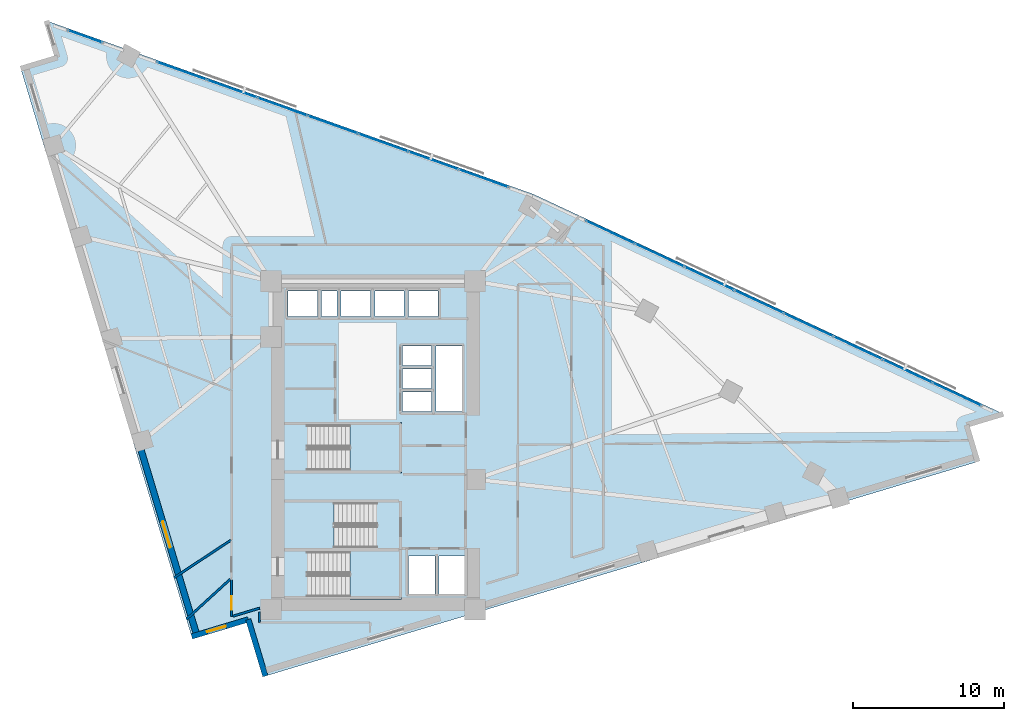
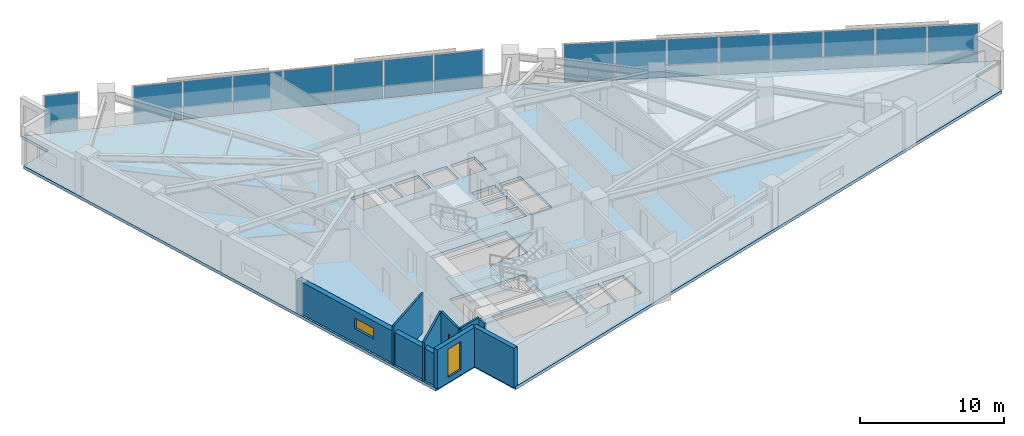
# One storey, part 9 of 15: 16 plates, 8 walls, 4 slabs, 2 windows, 1 door, 3 openings, 6 elements without a shape of their own.
"""IFC4 building model written with IfcOpenShell, lengths in metres."""

from ifc_helpers import new_model, si_unit, direction, frame, frame_2d, origin, origin_2d, place, context, subcontext, project, spatial, polyline, rectangle, outline, extrude, material, layer, layer_set, type_object, element, fill, aggregate, save


model = new_model("IFC4")

# Units and contexts
model_context = context("Model", 3, precision=1e-05, world=origin(), true_north=direction((0.0, 1.0)))
body_context = subcontext(model_context, "Body", "Model", "MODEL_VIEW")
ifc_project = project(units=[si_unit("LENGTHUNIT", "METRE"), si_unit("AREAUNIT", "SQUARE_METRE"), si_unit("VOLUMEUNIT", "CUBIC_METRE"), si_unit("PLANEANGLEUNIT", "RADIAN"), si_unit("MASSUNIT", "GRAM", prefix="KILO")], contexts=[model_context])

# Site, building, storey
site_placement = place(None, origin())
site = spatial("IfcSite", under=ifc_project, at=site_placement, CompositionType="ELEMENT")
building_placement = place(site_placement, origin())
building = spatial("IfcBuilding", under=site, at=building_placement, Name="Narakoshi Arena Tower", CompositionType="ELEMENT")
storey_placement = place(building_placement, frame((0.0, 0.0, 157.5)))
storey = spatial("IfcBuildingStorey", under=building, at=storey_placement, Name="L42", CompositionType="ELEMENT", Elevation=157.5)

# Curtain wall, plates
ifc_material_1 = material(Name="Anodised bronze aluminium 6063-T6", Category="aluminium")
curtain_wall_type = type_object("IfcCurtainWallType", Name="CW-HYP-MID", PredefinedType="NOTDEFINED", material=ifc_material_1)
curtain_wall_1_placement = place(storey_placement, origin())
curtain_wall_1 = element("IfcCurtainWall", 1, at=curtain_wall_1_placement, inside=storey, type_object=curtain_wall_type, Name="L42 Folded Hypotenuse Curtain Wall 1-1", PredefinedType="NOTDEFINED")
ifc_material_2 = material(Name="Bronze-tinted low-E laminated glass", Category="glass")
ifc_layer_1 = layer(ifc_material_2, 0.0380859375)
ifc_layer_set_1 = layer_set([ifc_layer_1], Name="Bronze-tinted low-E laminated glass")
plate_type = type_object("IfcPlateType", Name="PLT-GLZ-38", PredefinedType="CURTAIN_PANEL", material=ifc_layer_set_1)
plate_1_placement = place(storey_placement, frame((117.545166015625, 49.0, 0.06494140625), z_axis=(0.0, 0.0, 1.0), x_axis=(-0.905881273009, 0.423531721612, 0.0)))
plate_1 = element("IfcPlate", 2, at=plate_1_placement, type_object=plate_type, Name="CW-02 panel 1.1", PredefinedType="CURTAIN_PANEL", context=body_context, shape_type="SweptSolid", body=[
    extrude(rectangle(XDim=3.52099609375, YDim=0.0380859375, at=origin_2d()), origin(), (0.0, 0.0, 1.0), 3.2099609375),
])
plate_2_placement = place(storey_placement, frame((114.270751953125, 50.531005859375, 0.06494140625), z_axis=(0.0, 0.0, 1.0), x_axis=(-0.905881273009, 0.423531721612, 0.0)))
plate_2 = element("IfcPlate", 3, at=plate_2_placement, type_object=plate_type, Name="CW-02 panel 2.1", PredefinedType="CURTAIN_PANEL", context=body_context, shape_type="SweptSolid", body=[
    extrude(rectangle(XDim=3.558349609375, YDim=0.0380859375, at=origin_2d()), origin(), (0.0, 0.0, 1.0), 3.2099609375),
])
plate_3_placement = place(storey_placement, frame((110.979248046875, 52.06982421875, 0.06494140625), z_axis=(0.0, 0.0, 1.0), x_axis=(-0.905881273009, 0.423531721612, 0.0)))
plate_3 = element("IfcPlate", 4, at=plate_3_placement, type_object=plate_type, Name="CW-02 panel 3.1", PredefinedType="CURTAIN_PANEL", context=body_context, shape_type="SweptSolid", body=[
    extrude(rectangle(XDim=3.558349609375, YDim=0.0380859375, at=origin_2d()), origin(), (0.0, 0.0, 1.0), 3.2099609375),
])
plate_4_placement = place(storey_placement, frame((107.687744140625, 53.60888671875, 0.06494140625), z_axis=(0.0, 0.0, 1.0), x_axis=(-0.905881273009, 0.423531721612, 0.0)))
plate_4 = element("IfcPlate", 5, at=plate_4_placement, type_object=plate_type, Name="CW-02 panel 4.1", PredefinedType="CURTAIN_PANEL", context=body_context, shape_type="SweptSolid", body=[
    extrude(rectangle(XDim=3.558349609375, YDim=0.0380859375, at=origin_2d()), origin(), (0.0, 0.0, 1.0), 3.2099609375),
])
plate_5_placement = place(storey_placement, frame((104.396240234375, 55.147705078125, 0.06494140625), z_axis=(0.0, 0.0, 1.0), x_axis=(-0.905881273009, 0.423531721612, 0.0)))
plate_5 = element("IfcPlate", 6, at=plate_5_placement, type_object=plate_type, Name="CW-02 panel 5.1", PredefinedType="CURTAIN_PANEL", context=body_context, shape_type="SweptSolid", body=[
    extrude(rectangle(XDim=3.558349609375, YDim=0.0380859375, at=origin_2d()), origin(), (0.0, 0.0, 1.0), 3.2099609375),
])
plate_6_placement = place(storey_placement, frame((101.104736328125, 56.6865234375, 0.06494140625), z_axis=(0.0, 0.0, 1.0), x_axis=(-0.905881273009, 0.423531721612, 0.0)))
plate_6 = element("IfcPlate", 7, at=plate_6_placement, type_object=plate_type, Name="CW-02 panel 6.1", PredefinedType="CURTAIN_PANEL", context=body_context, shape_type="SweptSolid", body=[
    extrude(rectangle(XDim=3.558349609375, YDim=0.0380859375, at=origin_2d()), origin(), (0.0, 0.0, 1.0), 3.2099609375),
])
plate_7_placement = place(storey_placement, frame((97.813232421875, 58.2255859375, 0.06494140625), z_axis=(0.0, 0.0, 1.0), x_axis=(-0.905881273009, 0.423531721612, 0.0)))
plate_7 = element("IfcPlate", 8, at=plate_7_placement, type_object=plate_type, Name="CW-02 panel 7.1", PredefinedType="CURTAIN_PANEL", context=body_context, shape_type="SweptSolid", body=[
    extrude(rectangle(XDim=3.558349609375, YDim=0.0380859375, at=origin_2d()), origin(), (0.0, 0.0, 1.0), 3.2099609375),
])
plate_8_placement = place(storey_placement, frame((94.538818359375, 59.75634765625, 0.06494140625), z_axis=(0.0, 0.0, 1.0), x_axis=(-0.905881273009, 0.423531721612, 0.0)))
plate_8 = element("IfcPlate", 9, at=plate_8_placement, type_object=plate_type, Name="CW-02 panel 8.1", PredefinedType="CURTAIN_PANEL", context=body_context, shape_type="SweptSolid", body=[
    extrude(rectangle(XDim=3.52099609375, YDim=0.0380859375, at=origin_2d()), origin(), (0.0, 0.0, 1.0), 3.2099609375),
])
aggregate(curtain_wall_1, [plate_1, plate_2, plate_3, plate_4, plate_5, plate_6, plate_7, plate_8])

curtain_wall_2_placement = place(storey_placement, origin())
curtain_wall_2 = element("IfcCurtainWall", 10, at=curtain_wall_2_placement, inside=storey, type_object=curtain_wall_type, Name="L42 Folded Hypotenuse Curtain Wall 2-1", PredefinedType="NOTDEFINED")
plate_9_placement = place(storey_placement, frame((86.125244140625, 63.327880859375, 0.06494140625), z_axis=(0.0, 0.0, 1.0), x_axis=(-0.94203368957, 0.335518297139, 0.0)))
plate_9 = element("IfcPlate", 11, at=plate_9_placement, type_object=plate_type, Name="CW-02 panel 1.1", PredefinedType="CURTAIN_PANEL", context=body_context, shape_type="SweptSolid", body=[
    extrude(rectangle(XDim=3.437744140625, YDim=0.0380859375, at=origin_2d()), origin(), (0.0, 0.0, 1.0), 3.2099609375),
])
plate_10_placement = place(storey_placement, frame((82.79833984375, 64.512939453125, 0.06494140625), z_axis=(0.0, 0.0, 1.0), x_axis=(-0.94203368957, 0.335518297139, 0.0)))
plate_10 = element("IfcPlate", 12, at=plate_10_placement, type_object=plate_type, Name="CW-02 panel 2.1", PredefinedType="CURTAIN_PANEL", context=body_context, shape_type="SweptSolid", body=[
    extrude(rectangle(XDim=3.475341796875, YDim=0.0380859375, at=origin_2d()), origin(), (0.0, 0.0, 1.0), 3.2099609375),
])
plate_11_placement = place(storey_placement, frame((79.453857421875, 65.7041015625, 0.06494140625), z_axis=(0.0, 0.0, 1.0), x_axis=(-0.94203368957, 0.335518297139, 0.0)))
plate_11 = element("IfcPlate", 13, at=plate_11_placement, type_object=plate_type, Name="CW-02 panel 3.1", PredefinedType="CURTAIN_PANEL", context=body_context, shape_type="SweptSolid", body=[
    extrude(rectangle(XDim=3.475341796875, YDim=0.0380859375, at=origin_2d()), origin(), (0.0, 0.0, 1.0), 3.2099609375),
])
plate_12_placement = place(storey_placement, frame((76.109130859375, 66.895263671875, 0.06494140625), z_axis=(0.0, 0.0, 1.0), x_axis=(-0.94203368957, 0.335518297139, 0.0)))
plate_12 = element("IfcPlate", 14, at=plate_12_placement, type_object=plate_type, Name="CW-02 panel 4.1", PredefinedType="CURTAIN_PANEL", context=body_context, shape_type="SweptSolid", body=[
    extrude(rectangle(XDim=3.475341796875, YDim=0.0380859375, at=origin_2d()), origin(), (0.0, 0.0, 1.0), 3.2099609375),
])
plate_13_placement = place(storey_placement, frame((72.7646484375, 68.08642578125, 0.06494140625), z_axis=(0.0, 0.0, 1.0), x_axis=(-0.94203368957, 0.335518297139, 0.0)))
plate_13 = element("IfcPlate", 15, at=plate_13_placement, type_object=plate_type, Name="CW-02 panel 5.1", PredefinedType="CURTAIN_PANEL", context=body_context, shape_type="SweptSolid", body=[
    extrude(rectangle(XDim=3.475341796875, YDim=0.0380859375, at=origin_2d()), origin(), (0.0, 0.0, 1.0), 3.2099609375),
])
plate_14_placement = place(storey_placement, frame((69.420166015625, 69.277587890625, 0.06494140625), z_axis=(0.0, 0.0, 1.0), x_axis=(-0.94203368957, 0.335518297139, 0.0)))
plate_14 = element("IfcPlate", 16, at=plate_14_placement, type_object=plate_type, Name="CW-02 panel 6.1", PredefinedType="CURTAIN_PANEL", context=body_context, shape_type="SweptSolid", body=[
    extrude(rectangle(XDim=3.475341796875, YDim=0.0380859375, at=origin_2d()), origin(), (0.0, 0.0, 1.0), 3.2099609375),
])
plate_15_placement = place(storey_placement, frame((66.09326171875, 70.462646484375, 0.06494140625), z_axis=(0.0, 0.0, 1.0), x_axis=(-0.94203368957, 0.335518297139, 0.0)))
plate_15 = element("IfcPlate", 17, at=plate_15_placement, type_object=plate_type, Name="CW-02 panel 7.1", PredefinedType="CURTAIN_PANEL", context=body_context, shape_type="SweptSolid", body=[
    extrude(rectangle(XDim=3.437744140625, YDim=0.0380859375, at=origin_2d()), origin(), (0.0, 0.0, 1.0), 3.2099609375),
])
aggregate(curtain_wall_2, [plate_9, plate_10, plate_11, plate_12, plate_13, plate_14, plate_15])

# Curtain wall, plate
curtain_wall_3_placement = place(storey_placement, origin())
curtain_wall_3 = element("IfcCurtainWall", 18, at=curtain_wall_3_placement, inside=storey, type_object=curtain_wall_type, Name="L42 Folded Hypotenuse Curtain Wall 2-2", PredefinedType="NOTDEFINED")
plate_16_placement = place(storey_placement, frame((59.671142578125, 72.75, 0.06494140625), z_axis=(0.0, 0.0, 1.0), x_axis=(-0.942025293591, 0.335541869571, 0.0)))
plate_16 = element("IfcPlate", 19, at=plate_16_placement, type_object=plate_type, Name="CW-02 panel 1.1", PredefinedType="CURTAIN_PANEL", context=body_context, shape_type="SweptSolid", body=[
    extrude(rectangle(XDim=2.3779296875, YDim=0.0380859375, at=origin_2d()), origin(), (0.0, 0.0, 1.0), 3.2099609375),
])
aggregate(curtain_wall_3, [plate_16])

# Stair, slab
ifc_material_3 = material(Name="Concrete C45/55", Category="concrete")
stair_type = type_object("IfcStairType", Name="STR-CORE-360", PredefinedType="TWO_STRAIGHT_RUN_STAIR", material=ifc_material_3)
stair_1_placement = place(storey_placement, origin())
stair_1 = element("IfcStair", 20, at=stair_1_placement, inside=storey, type_object=stair_type, Name="L42 Core Escape Stair ST1", PredefinedType="TWO_STRAIGHT_RUN_STAIR")
ifc_layer_2 = layer(ifc_material_3, 0.18994140625)
ifc_layer_set_2 = layer_set([ifc_layer_2], Name="Concrete C45/55")
slab_type_1 = type_object("IfcSlabType", Name="SLB-LND-190", PredefinedType="LANDING", material=ifc_layer_set_2)
slab_1_placement = place(storey_placement, frame((0.0, 0.0, 1.610107421875)))
slab_1 = element("IfcSlab", 21, at=slab_1_placement, type_object=slab_type_1, Name="ST1 landing 1", PredefinedType="LANDING", context=body_context, shape_type="SweptSolid", body=[
    extrude(outline(polyline([(77.25, 35.3701171875), (80.679931640625, 35.3701171875), (80.679931640625, 38.72998046875), (77.25, 38.72998046875), (77.25, 35.3701171875)])), origin(), (0.0, 0.0, 1.0), 0.18994140625),
])
aggregate(stair_1, [slab_1])

stair_2_placement = place(storey_placement, origin())
stair_2 = element("IfcStair", 22, at=stair_2_placement, inside=storey, type_object=stair_type, Name="L42 Core Escape Stair ST2", PredefinedType="TWO_STRAIGHT_RUN_STAIR")
slab_2_placement = place(storey_placement, frame((0.0, 0.0, 1.610107421875)))
slab_2 = element("IfcSlab", 23, at=slab_2_placement, type_object=slab_type_1, Name="ST2 landing 1", PredefinedType="LANDING", context=body_context, shape_type="SweptSolid", body=[
    extrude(outline(polyline([(72.77001953125, 38.6201171875), (76.199951171875, 38.6201171875), (76.199951171875, 41.97998046875), (72.77001953125, 41.97998046875), (72.77001953125, 38.6201171875)])), origin(), (0.0, 0.0, 1.0), 0.18994140625),
])
aggregate(stair_2, [slab_2])

stair_3_placement = place(storey_placement, origin())
stair_3 = element("IfcStair", 24, at=stair_3_placement, inside=storey, type_object=stair_type, Name="L42 Core Escape Stair ST3", PredefinedType="TWO_STRAIGHT_RUN_STAIR")
slab_3_placement = place(storey_placement, frame((0.0, 0.0, 1.610107421875)))
slab_3 = element("IfcSlab", 25, at=slab_3_placement, type_object=slab_type_1, Name="ST3 landing 1", PredefinedType="LANDING", context=body_context, shape_type="SweptSolid", body=[
    extrude(outline(polyline([(77.25, 43.77001953125), (80.679931640625, 43.77001953125), (80.679931640625, 47.1298828125), (77.25, 47.1298828125), (77.25, 43.77001953125)])), origin(), (0.0, 0.0, 1.0), 0.18994140625),
])
aggregate(stair_3, [slab_3])

# Slab
ifc_material_4 = material(Name="Concrete C50/60", Category="concrete")
ifc_layer_3 = layer(ifc_material_4, 0.260009765625)
ifc_layer_set_3 = layer_set([ifc_layer_3], Name="Concrete C50/60")
slab_type_2 = type_object("IfcSlabType", Name="SLB-SKY-260", PredefinedType="FLOOR", material=ifc_layer_set_3)
slab_4_placement = place(storey_placement, frame((0.0, 0.0, -0.260009765625)))
element("IfcSlab", 26, at=slab_4_placement, inside=storey, type_object=slab_type_2, Name="L42 Structural Floor Slab", PredefinedType="FLOOR", context=body_context, shape_type="SweptSolid", body=[
    extrude(outline(polyline([(71.635498046875, 30.28857421875), (118.908935546875, 44.51611328125), (118.17333984375, 46.96044921875), (120.61767578125, 47.696044921875), (89.422119140625, 62.281005859375), (57.107666015625, 73.790283203125), (57.84326171875, 71.34619140625), (55.39892578125, 70.610595703125), (66.743408203125, 32.917236328125), (70.50390625, 34.048828125), (71.635498046875, 30.28857421875)]), holes=[polyline([(80.5, 35.550048828125), (74.47998046875, 35.550048828125), (74.47998046875, 38.550048828125), (80.5, 38.550048828125), (80.5, 35.550048828125)]), polyline([(82.89990234375, 35.75), (81.14990234375, 35.75), (81.14990234375, 38.25), (82.89990234375, 38.25), (82.89990234375, 35.75)]), polyline([(83.14990234375, 35.75), (83.14990234375, 38.25), (84.89990234375, 38.25), (84.89990234375, 35.75), (83.14990234375, 35.75)]), polyline([(72.949951171875, 38.800048828125), (72.949951171875, 41.800048828125), (78.969970703125, 41.800048828125), (78.969970703125, 38.800048828125), (72.949951171875, 38.800048828125)]), polyline([(74.47998046875, 43.949951171875), (74.47998046875, 46.949951171875), (80.5, 46.949951171875), (80.5, 43.949951171875), (74.47998046875, 43.949951171875)]), polyline([(82.949951171875, 47.840087890625), (82.949951171875, 52.199951171875), (84.699951171875, 52.199951171875), (84.699951171875, 47.840087890625), (82.949951171875, 47.840087890625)]), polyline([(80.75, 47.85009765625), (80.75, 49.14990234375), (82.64990234375, 49.14990234375), (82.64990234375, 47.85009765625), (80.75, 47.85009765625)]), polyline([(80.75, 49.3701171875), (80.75, 50.669921875), (82.64990234375, 50.669921875), (82.64990234375, 49.3701171875), (80.75, 49.3701171875)]), polyline([(80.75, 50.889892578125), (80.75, 52.18994140625), (82.64990234375, 52.18994140625), (82.64990234375, 50.889892578125), (80.75, 50.889892578125)]), polyline([(73.14990234375, 54.14990234375), (73.14990234375, 55.85009765625), (75.10009765625, 55.85009765625), (75.10009765625, 54.14990234375), (73.14990234375, 54.14990234375)]), polyline([(75.35009765625, 54.14990234375), (75.35009765625, 55.85009765625), (76.39990234375, 55.85009765625), (76.39990234375, 54.14990234375), (75.35009765625, 54.14990234375)]), polyline([(76.64990234375, 54.14990234375), (76.64990234375, 55.85009765625), (78.60009765625, 55.85009765625), (78.60009765625, 54.14990234375), (76.64990234375, 54.14990234375)]), polyline([(78.89990234375, 54.14990234375), (78.89990234375, 55.85009765625), (80.85009765625, 55.85009765625), (80.85009765625, 54.14990234375), (78.89990234375, 54.14990234375)]), polyline([(81.14990234375, 54.14990234375), (81.14990234375, 55.85009765625), (83.10009765625, 55.85009765625), (83.10009765625, 54.14990234375), (81.14990234375, 54.14990234375)])]), origin(), (0.0, 0.0, 1.0), 0.260009765625),
])

# Wall, opening, window
ifc_material_5 = material(Name="Precast concrete C45/55", Category="concrete")
ifc_layer_4 = layer(ifc_material_5, 0.419921875)
ifc_layer_set_4 = layer_set([ifc_layer_4], Name="Precast concrete C45/55")
wall_type_1 = type_object("IfcWallType", Name="WL-POD-420", PredefinedType="SOLIDWALL", material=ifc_layer_set_4)
wall_1_placement = place(storey_placement, frame((63.221435546875, 45.833740234375, 0.0), z_axis=(0.0, 0.0, 1.0), x_axis=(0.288202962273, -0.957569346072, 0.0)))
wall_1 = element("IfcWall", 27, at=wall_1_placement, inside=storey, type_object=wall_type_1, Name="L42 Architectural Concrete Facade Wall LEGB-3", PredefinedType="SOLIDWALL", context=body_context, shape_type="SweptSolid", body=[
    extrude(rectangle(XDim=13.383544921875, YDim=0.419921875, at=frame_2d((6.69189453125, 0.0))), origin(), (0.0, 0.0, 1.0), 2.72509765625),
])
opening_1_placement = place(wall_1_placement, frame((5.5166015625, 0.0, 1.199951171875)))
opening_1 = element("IfcOpeningElement", 28, at=opening_1_placement, cuts=wall_1, Name="Opening WN-02", PredefinedType="OPENING", context=body_context, shape_type="SweptSolid", body=[
    extrude(rectangle(XDim=1.800048828125, YDim=0.89990234375, at=frame_2d((0.89990234375, 0.449951171875))), frame((0.0, 0.219970703125, 0.0), z_axis=(0.0, -1.0, 0.0), x_axis=(1.0, 0.0, 0.0)), (0.0, 0.0, 1.0), 0.43994140625),
])
window_type_1 = type_object("IfcWindowType", Name="WIN-SLT-18x09", PartitioningType="SINGLE_PANEL", PredefinedType="WINDOW", material=ifc_material_2)
window_1_placement = place(opening_1_placement, origin())
window_1 = element("IfcWindow", 29, at=window_1_placement, inside=storey, type_object=window_type_1, Name="L42 LEGB3 Horizontal Slot Window 1", OverallHeight=0.89990234375, OverallWidth=1.800048828125, PartitioningType="SINGLE_PANEL", PredefinedType="WINDOW", context=body_context, shape_type="SweptSolid", body=[
    extrude(rectangle(XDim=1.800048828125, YDim=0.89990234375, at=frame_2d((0.89990234375, 0.449951171875))), frame((0.0, 0.030029296875, 0.0), z_axis=(0.0, -1.0, 0.0), x_axis=(1.0, 0.0, 0.0)), (0.0, 0.0, 1.0), 0.06005859375),
])
fill(opening_1, window_1)

wall_2_placement = place(storey_placement, frame((66.743408203125, 32.917236328125, 0.0), z_axis=(0.0, 0.0, 1.0), x_axis=(0.957584687378, 0.288151985068, 0.0)))
wall_2 = element("IfcWall", 30, at=wall_2_placement, inside=storey, type_object=wall_type_1, Name="L42 Re-Entrant Corner Notch Wall NTA-1", PredefinedType="SOLIDWALL", context=body_context, shape_type="SweptSolid", body=[
    extrude(rectangle(XDim=3.927001953125, YDim=0.360107421875, at=frame_2d((1.96337890625, 0.0))), origin(), (0.0, 0.0, 1.0), 3.340087890625),
])
opening_2_placement = place(wall_2_placement, frame((1.070068359375, 0.0, 0.449951171875)))
opening_2 = element("IfcOpeningElement", 31, at=opening_2_placement, cuts=wall_2, Name="Opening WN-06", PredefinedType="OPENING", context=body_context, shape_type="SweptSolid", body=[
    extrude(rectangle(XDim=1.300048828125, YDim=2.39990234375, at=frame_2d((0.64990234375, 1.199951171875))), frame((0.0, 0.18994140625, 0.0), z_axis=(0.0, -1.0, 0.0), x_axis=(1.0, 0.0, 0.0)), (0.0, 0.0, 1.0), 0.380126953125),
])
window_type_2 = type_object("IfcWindowType", Name="WIN-NTC-16x24", PartitioningType="SINGLE_PANEL", PredefinedType="WINDOW", material=ifc_material_2)
window_2_placement = place(opening_2_placement, origin())
window_2 = element("IfcWindow", 32, at=window_2_placement, inside=storey, type_object=window_type_2, Name="L42 Corner Notch Window NTA", OverallHeight=2.39990234375, OverallWidth=1.300048828125, PartitioningType="SINGLE_PANEL", PredefinedType="WINDOW", context=body_context, shape_type="SweptSolid", body=[
    extrude(rectangle(XDim=1.300048828125, YDim=2.39990234375, at=frame_2d((0.64990234375, 1.199951171875))), frame((0.0, 0.030029296875, 0.0), z_axis=(0.0, -1.0, 0.0), x_axis=(1.0, 0.0, 0.0)), (0.0, 0.0, 1.0), 0.06005859375),
])
fill(opening_2, window_2)

# Walls
wall_3_placement = place(storey_placement, frame((70.50390625, 34.048828125, 0.0), z_axis=(0.0, 0.0, 1.0), x_axis=(0.288169140251, -0.957579524952, 0.0)))
element("IfcWall", 33, at=wall_3_placement, inside=storey, type_object=wall_type_1, Name="L42 Re-Entrant Corner Notch Wall NTA-2", PredefinedType="SOLIDWALL", context=body_context, shape_type="SweptSolid", body=[
    extrude(rectangle(XDim=3.9267578125, YDim=0.360107421875, at=frame_2d((1.96337890625, 0.0))), origin(), (0.0, 0.0, 1.0), 3.340087890625),
])
ifc_material_6 = material(Name="Moisture-resistant cement-board partition")
ifc_layer_5 = layer(ifc_material_6, 0.14501953125)
ifc_layer_set_5 = layer_set([ifc_layer_5], Name="Moisture-resistant cement-board partition")
wall_type_2 = type_object("IfcWallType", Name="WL-WET-145", PredefinedType="PARTITIONING", material=ifc_layer_set_5)
wall_4_placement = place(storey_placement, frame((69.341796875, 39.3056640625, 0.0), z_axis=(0.0, 0.0, 1.0), x_axis=(-0.83472512809, -0.550666832608, 0.0)))
element("IfcWall", 34, at=wall_4_placement, inside=storey, type_object=wall_type_2, Name="L42 Inter-Room Partition 01-02", PredefinedType="PARTITIONING", context=body_context, shape_type="SweptSolid", body=[
    extrude(rectangle(XDim=4.51904296875, YDim=0.14501953125, at=frame_2d((2.259521484375, 0.0))), origin(), (0.0, 0.0, 1.0), 3.340087890625),
])
wall_5_placement = place(storey_placement, frame((69.314453125, 36.7314453125, 0.0), z_axis=(0.0, 0.0, 1.0), x_axis=(-0.737487298625, -0.675361002995, 0.0)))
element("IfcWall", 35, at=wall_5_placement, inside=storey, type_object=wall_type_2, Name="L42 Inter-Room Partition 02-03", PredefinedType="PARTITIONING", context=body_context, shape_type="SweptSolid", body=[
    extrude(rectangle(XDim=3.953369140625, YDim=0.14501953125, at=frame_2d((1.9765625, 0.0))), origin(), (0.0, 0.0, 1.0), 3.340087890625),
])

# Wall, opening, door
wall_6_placement = place(storey_placement, frame((69.388916015625, 36.65673828125, 0.0), z_axis=(0.0, 0.0, 1.0), x_axis=(0.0, -1.0, 0.0)))
wall_6 = element("IfcWall", 36, at=wall_6_placement, inside=storey, type_object=wall_type_2, Name="L42 Corridor Partition 03-1", PredefinedType="PARTITIONING", context=body_context, shape_type="SweptSolid", body=[
    extrude(rectangle(XDim=2.421142578125, YDim=0.14501953125, at=frame_2d((1.21044921875, 0.0))), origin(), (0.0, 0.0, 1.0), 3.340087890625),
])
opening_3_placement = place(wall_6_placement, frame((1.074462890625, 0.0, 0.0)))
opening_3 = element("IfcOpeningElement", 37, at=opening_3_placement, cuts=wall_6, Name="Opening D-08", PredefinedType="OPENING", context=body_context, shape_type="SweptSolid", body=[
    extrude(rectangle(XDim=0.89990234375, YDim=2.10009765625, at=frame_2d((0.449951171875, 1.050048828125))), frame((0.0, 0.08251953125, 0.0), z_axis=(0.0, -1.0, 0.0), x_axis=(1.0, 0.0, 0.0)), (0.0, 0.0, 1.0), 0.1650390625),
])
ifc_material_7 = material(Name="Moisture-resistant laminate timber", Category="wood")
door_type = type_object("IfcDoorType", Name="DR-WC-900", OperationType="NOTDEFINED", PredefinedType="DOOR", material=ifc_material_7)
door_placement = place(opening_3_placement, frame((0.89990234375, 0.0, 0.0), z_axis=(0.0, 0.0, 1.0), x_axis=(-1.0, 0.0, 0.0)))
door = element("IfcDoor", 38, at=door_placement, inside=storey, type_object=door_type, Name="DR-L42-016", OperationType="SINGLE_SWING_RIGHT", OverallHeight=2.10009765625, OverallWidth=0.89990234375, PredefinedType="DOOR", context=body_context, shape_type="SweptSolid", body=[
    extrude(rectangle(XDim=0.89990234375, YDim=2.10009765625, at=frame_2d((0.449951171875, 1.050048828125))), frame((0.0, 0.02490234375, 0.0), z_axis=(0.0, -1.0, 0.0), x_axis=(1.0, 0.0, 0.0)), (0.0, 0.0, 1.0), 0.050048828125),
])
fill(opening_3, door)

# Walls
wall_7_placement = place(storey_placement, frame((69.473388671875, 34.260986328125, 0.0), z_axis=(0.0, 0.0, 1.0), x_axis=(0.957576023878, 0.288180773985, 0.0)))
element("IfcWall", 39, at=wall_7_placement, inside=storey, type_object=wall_type_2, Name="L42 Corridor Partition 03-2", PredefinedType="PARTITIONING", context=body_context, shape_type="SweptSolid", body=[
    extrude(rectangle(XDim=1.855224609375, YDim=0.14501953125, at=frame_2d((0.927734375, 0.0))), origin(), (0.0, 0.0, 1.0), 3.340087890625),
])
wall_8_placement = place(storey_placement, frame((71.25, 34.552734375, 0.0), z_axis=(0.0, 0.0, 1.0), x_axis=(0.0, -1.0, 0.0)))
element("IfcWall", 40, at=wall_8_placement, inside=storey, type_object=wall_type_2, Name="L42 Room Enclosure Partition 03-1", PredefinedType="PARTITIONING", context=body_context, shape_type="SweptSolid", body=[
    extrude(rectangle(XDim=0.70263671875, YDim=0.14501953125, at=frame_2d((0.351318359375, 0.0))), origin(), (0.0, 0.0, 1.0), 3.340087890625),
])

save(model, "model.ifc")
